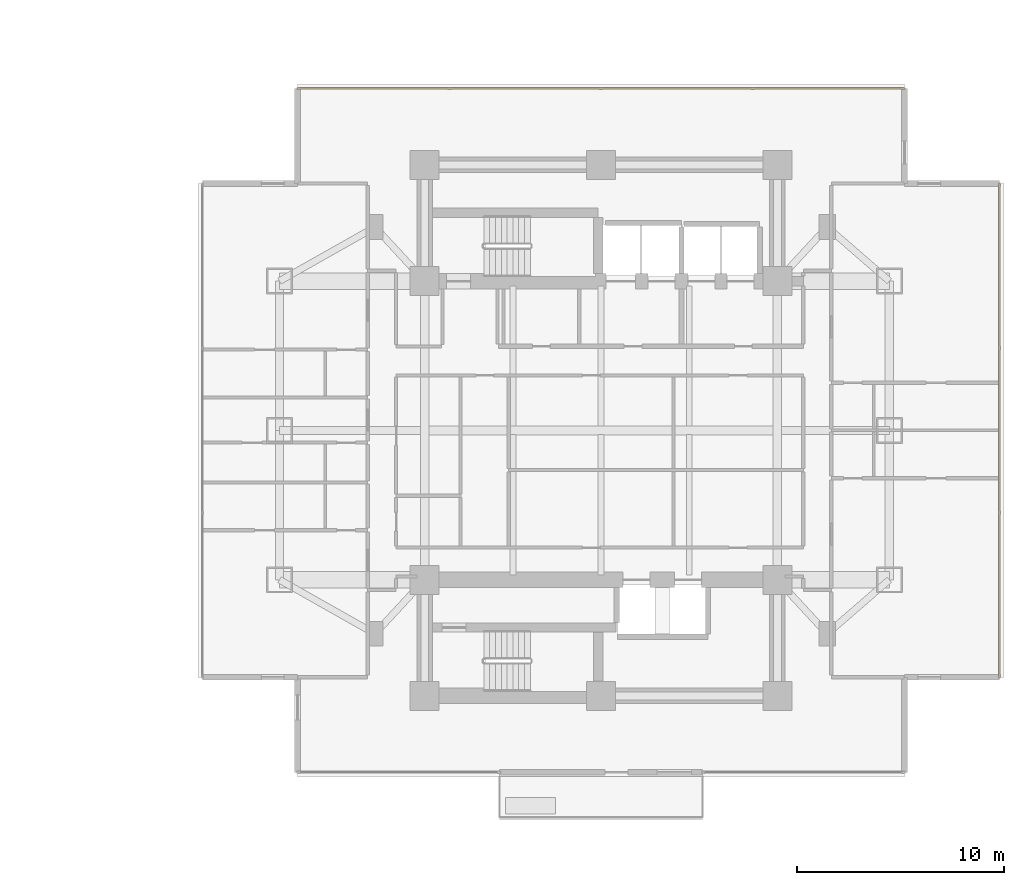
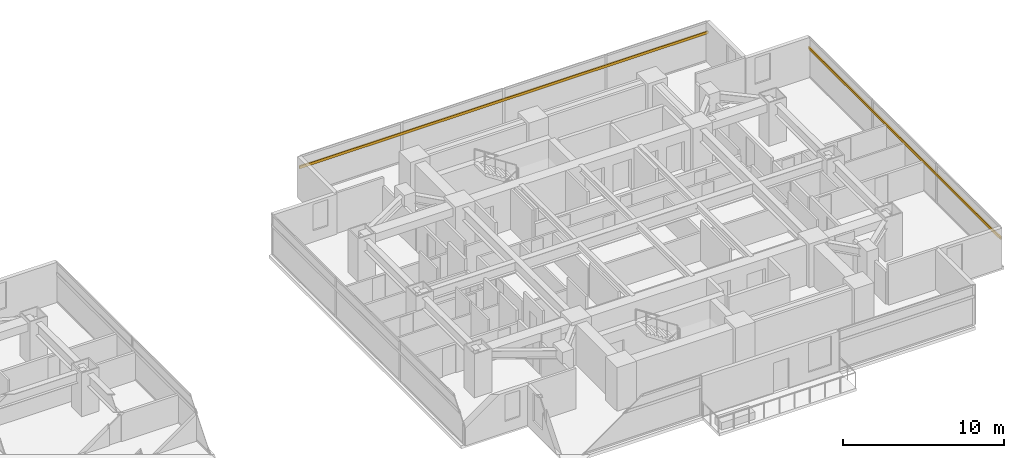
# One storey, part 27 of 27: 2 shading devices.
"""IFC4 building model written with IfcOpenShell, lengths in metres."""

from ifc_helpers import new_model, si_unit, direction, frame, origin, origin_2d, place, context, subcontext, project, spatial, rectangle, extrude, material, material_profile, profile_set, type_object, element, save


model = new_model("IFC4")

# Units and contexts
model_context = context("Model", 3, precision=1e-05, world=origin(), true_north=direction((0.0, 1.0)))
body_context = subcontext(model_context, "Body", "Model", "MODEL_VIEW")
ifc_project = project(units=[si_unit("LENGTHUNIT", "METRE"), si_unit("AREAUNIT", "SQUARE_METRE"), si_unit("VOLUMEUNIT", "CUBIC_METRE"), si_unit("PLANEANGLEUNIT", "RADIAN"), si_unit("MASSUNIT", "GRAM", prefix="KILO")], contexts=[model_context])

# Site, building, storey
site_placement = place(None, origin())
site = spatial("IfcSite", under=ifc_project, at=site_placement, CompositionType="ELEMENT")
building_placement = place(site_placement, origin())
building = spatial("IfcBuilding", under=site, at=building_placement, Name="Mirazonda Arch Towers", CompositionType="ELEMENT")
storey_placement = place(building_placement, frame((0.0, 0.0, 42.199951171875)))
storey = spatial("IfcBuildingStorey", under=building, at=storey_placement, Name="L11", CompositionType="ELEMENT", Elevation=42.199951171875)

# Shading devices
ifc_material = material(Name="Kiln-Fired Architectural Terracotta", Category="masonry")
ifc_material_profile = material_profile(ifc_material, rectangle(XDim=0.10009765625, YDim=0.199951171875, at=origin_2d()), Name="TERRA-BAG-100x200")
ifc_profile_set = profile_set([ifc_material_profile], Name="Kiln-Fired Architectural Terracotta")
shading_device_type = type_object("IfcShadingDeviceType", Name="BAGUETTE-2", PredefinedType="USERDEFINED", material=ifc_profile_set)
shading_device_1_placement = place(storey_placement, frame((95.7080078125, 16.10009765625, 2.18896484375), z_axis=(0.0, 1.0, 0.0), x_axis=(-1.0, 0.0, 0.0)))
element("IfcShadingDevice", 1, at=shading_device_1_placement, inside=storey, type_object=shading_device_type, Name="L11 Glazed Terracotta Sun-Screen Baguette CW-L11-T2-E", ObjectType="BAGUETTE", PredefinedType="USERDEFINED", context=body_context, shape_type="SweptSolid", body=[
    extrude(rectangle(XDim=0.10009765625, YDim=0.199951171875, at=origin_2d()), origin(), (0.0, 0.0, 1.0), 23.7998046875),
])
shading_device_2_placement = place(storey_placement, frame((61.8720703125, 44.479736328125, 2.18896484375), z_axis=(1.0, 0.0, 0.0), x_axis=(0.0, 1.0, 0.0)))
element("IfcShadingDevice", 2, at=shading_device_2_placement, inside=storey, type_object=shading_device_type, Name="L11 Glazed Terracotta Sun-Screen Baguette CW-L11-T2-N", ObjectType="BAGUETTE", PredefinedType="USERDEFINED", context=body_context, shape_type="SweptSolid", body=[
    extrude(rectangle(XDim=0.10009765625, YDim=0.199951171875, at=origin_2d()), origin(), (0.0, 0.0, 1.0), 29.255859375),
])

save(model, "model.ifc")
